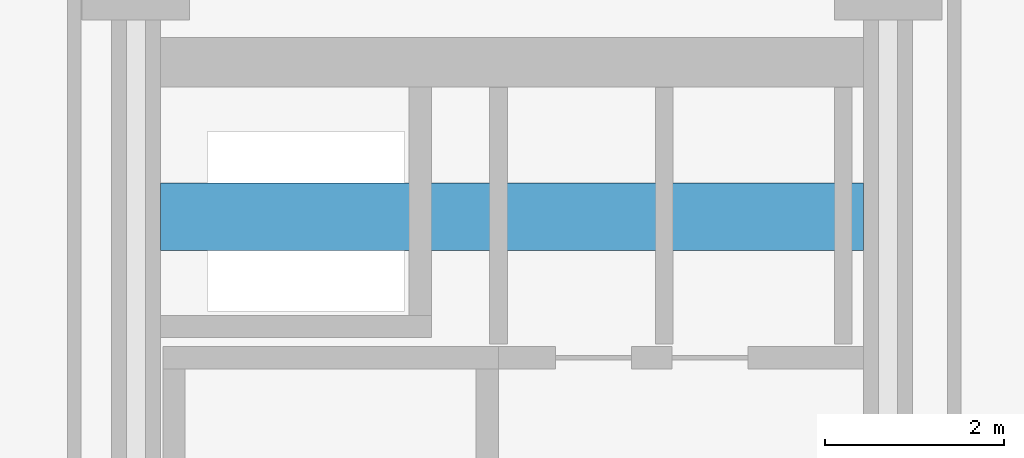
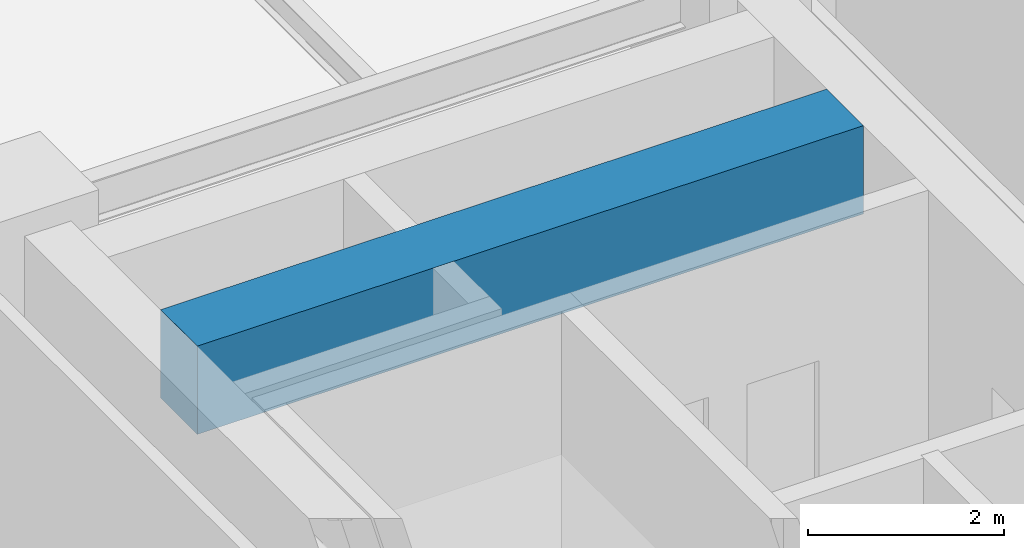
# One storey, part 24 of 38: 1 beam.
"""IFC4 building model written with IfcOpenShell, lengths in metres."""

from ifc_helpers import new_model, si_unit, direction, frame, origin, origin_2d, place, context, subcontext, project, spatial, rectangle, extrude, material, material_profile, profile_set, type_object, element, save


model = new_model("IFC4")

# Units and contexts
model_context = context("Model", 3, precision=1e-05, world=origin(), true_north=direction((0.0, 1.0)))
body_context = subcontext(model_context, "Body", "Model", "MODEL_VIEW")
ifc_project = project(units=[si_unit("LENGTHUNIT", "METRE"), si_unit("AREAUNIT", "SQUARE_METRE"), si_unit("VOLUMEUNIT", "CUBIC_METRE"), si_unit("PLANEANGLEUNIT", "RADIAN"), si_unit("MASSUNIT", "GRAM", prefix="KILO")], contexts=[model_context])

# Site, building, storey
site_placement = place(None, origin())
site = spatial("IfcSite", under=ifc_project, at=site_placement, CompositionType="ELEMENT")
building_placement = place(site_placement, origin())
building = spatial("IfcBuilding", under=site, at=building_placement, Name="Nerrivon Quay Data Exchange", CompositionType="ELEMENT")
storey_placement = place(building_placement, frame((0.0, 0.0, 84.39990234375)))
storey = spatial("IfcBuildingStorey", under=building, at=storey_placement, Name="L19", CompositionType="ELEMENT", Elevation=84.39990234375)

# Beam
ifc_material = material(Name="Concrete S65 (65 MPa)", Category="concrete")
ifc_material_profile = material_profile(ifc_material, rectangle(XDim=0.75, YDim=1.10009765625, at=origin_2d()), Name="RC-CB-750x1100")
ifc_profile_set = profile_set([ifc_material_profile], Name="Concrete S65 (65 MPa)")
beam_type = type_object("IfcBeamType", Name="BM-CB1-750x1100", PredefinedType="LINTEL", material=ifc_profile_set)
beam_placement = place(storey_placement, frame((8.675048828125, 39.199951171875, 3.275146484375), z_axis=(1.0, 0.0, 0.0), x_axis=(0.0, 1.0, 0.0)))
element("IfcBeam", 1, at=beam_placement, inside=storey, type_object=beam_type, Name="L19 West Core Coupling Beam", PredefinedType="LINTEL", context=body_context, shape_type="SweptSolid", body=[
    extrude(rectangle(XDim=0.75, YDim=1.10009765625, at=origin_2d()), origin(), (0.0, 0.0, 1.0), 7.849853515625),
])

save(model, "model.ifc")
